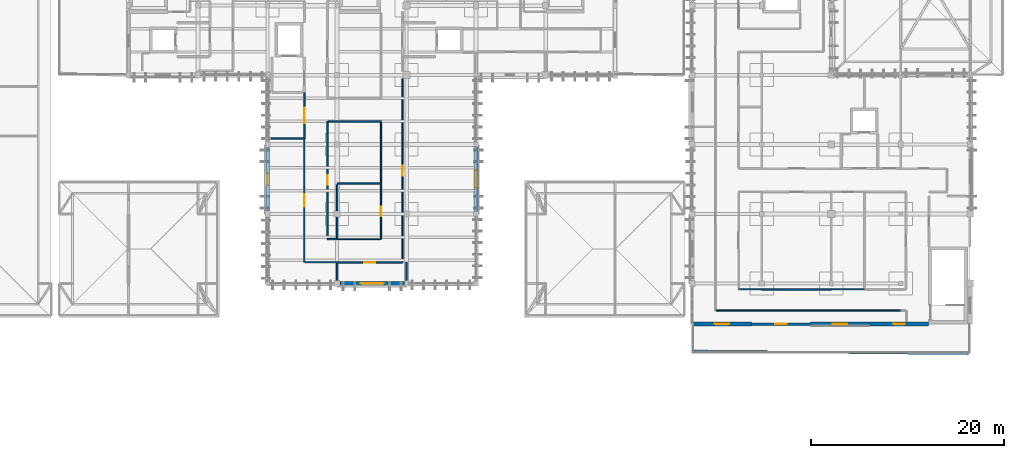
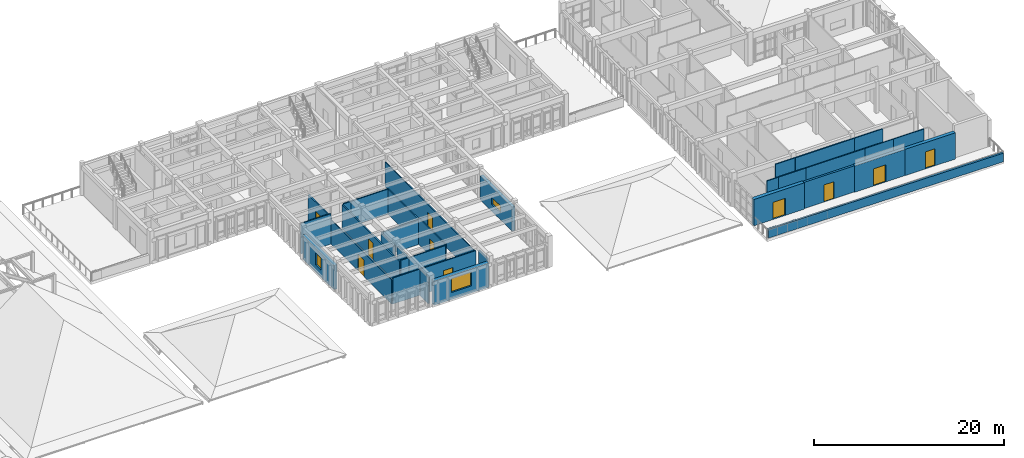
# One storey, part 33 of 51: 34 walls, 10 doors, 3 windows, 13 openings.
"""IFC4 building model written with IfcOpenShell, lengths in metres."""

from ifc_helpers import new_model, si_unit, direction, frame, frame_2d, origin, place, context, subcontext, project, spatial, rectangle, extrude, material, layer, layer_set, type_object, element, fill, save


model = new_model("IFC4")

# Units and contexts
model_context = context("Model", 3, precision=1e-05, world=origin(), true_north=direction((0.0, 1.0)))
body_context = subcontext(model_context, "Body", "Model", "MODEL_VIEW")
ifc_project = project(units=[si_unit("LENGTHUNIT", "METRE"), si_unit("AREAUNIT", "SQUARE_METRE"), si_unit("VOLUMEUNIT", "CUBIC_METRE"), si_unit("PLANEANGLEUNIT", "RADIAN"), si_unit("MASSUNIT", "GRAM", prefix="KILO")], contexts=[model_context])

# Site, building, storey
site_placement = place(None, origin())
site = spatial("IfcSite", under=ifc_project, at=site_placement, CompositionType="ELEMENT")
building_placement = place(site_placement, origin())
building = spatial("IfcBuilding", under=site, at=building_placement, Name="Steenspoor Specialist Clinic", CompositionType="ELEMENT")
storey_placement = place(building_placement, frame((0.0, 0.0, 17.39990234375)))
storey = spatial("IfcBuildingStorey", under=building, at=storey_placement, Name="L04", CompositionType="ELEMENT", Elevation=17.39990234375)

# Wall, opening, window
ifc_material_1 = material(Name="Extruded clay brick masonry", Category="masonry")
ifc_layer_1 = layer(ifc_material_1, 0.3798828125)
ifc_layer_set_1 = layer_set([ifc_layer_1], Name="Extruded clay brick masonry")
wall_type_1 = type_object("IfcWallType", Name="W-BRICK-380", PredefinedType="USERDEFINED", material=ifc_layer_set_1)
wall_1_placement = place(storey_placement, frame((95.60009765625, 86.52490234375, 0.0), z_axis=(0.0, 0.0, 1.0), x_axis=(0.0, -1.0, 0.0)))
wall_1 = element("IfcWall", 1, at=wall_1_placement, inside=storey, type_object=wall_type_1, Name="Exterior Brick Wall EW-V4-L04-0210", ObjectType="CAVITY VENEER", PredefinedType="USERDEFINED", context=body_context, shape_type="SweptSolid", body=[
    extrude(rectangle(XDim=6.724853515625, YDim=0.3798828125, at=frame_2d((3.3623046875, 0.0))), origin(), (0.0, 0.0, 1.0), 3.10009765625),
])
opening_1_placement = place(wall_1_placement, frame((2.46240234375, 0.0, 0.89990234375)))
opening_1 = element("IfcOpeningElement", 2, at=opening_1_placement, cuts=wall_1, Name="Opening WN-22", PredefinedType="OPENING", context=body_context, shape_type="SweptSolid", body=[
    extrude(rectangle(XDim=1.800048828125, YDim=0.89990234375, at=frame_2d((0.89990234375, 0.449951171875))), frame((0.0, 0.199951171875, 0.0), z_axis=(0.0, -1.0, 0.0), x_axis=(1.0, 0.0, 0.0)), (0.0, 0.0, 1.0), 0.39990234375),
])
ifc_material_2 = material(Name="Thermally broken aluminium and low-emissivity glass", Category="aluminium")
window_type_1 = type_object("IfcWindowType", Name="WN-EXT-180X090", PartitioningType="SINGLE_PANEL", PredefinedType="WINDOW", material=ifc_material_2)
window_1_placement = place(opening_1_placement, origin())
window_1 = element("IfcWindow", 3, at=window_1_placement, inside=storey, type_object=window_type_1, Name="Window 0234", OverallHeight=0.89990234375, OverallWidth=1.800048828125, PartitioningType="SINGLE_PANEL", PredefinedType="WINDOW", context=body_context, shape_type="SweptSolid", body=[
    extrude(rectangle(XDim=1.800048828125, YDim=0.89990234375, at=frame_2d((0.89990234375, 0.449951171875))), frame((0.0, 0.030029296875, 0.0), z_axis=(0.0, -1.0, 0.0), x_axis=(1.0, 0.0, 0.0)), (0.0, 0.0, 1.0), 0.06005859375),
])
fill(opening_1, window_1)

# Wall, opening, door
wall_2_placement = place(storey_placement, frame((136.375, 68.14990234375, 0.0), z_axis=(0.0, 0.0, 1.0), x_axis=(-1.0, 0.0, 0.0)))
wall_2 = element("IfcWall", 4, at=wall_2_placement, inside=storey, type_object=wall_type_1, Name="Exterior Brick Wall EW-V6-L04-0354", ObjectType="CAVITY VENEER", PredefinedType="USERDEFINED", context=body_context, shape_type="SweptSolid", body=[
    extrude(rectangle(XDim=6.125, YDim=0.3798828125, at=frame_2d((3.0625, 0.0))), origin(), (0.0, 0.0, 1.0), 3.380126953125),
])
opening_2_placement = place(wall_2_placement, frame((2.3125, 0.0, 0.0)))
opening_2 = element("IfcOpeningElement", 5, at=opening_2_placement, cuts=wall_2, Name="Opening ED44", PredefinedType="OPENING", context=body_context, shape_type="SweptSolid", body=[
    extrude(rectangle(XDim=1.5, YDim=2.199951171875, at=frame_2d((0.75, 1.10009765625))), frame((0.0, 0.199951171875, 0.0), z_axis=(0.0, -1.0, 0.0), x_axis=(1.0, 0.0, 0.0)), (0.0, 0.0, 1.0), 0.39990234375),
])
ifc_material_3 = material(Name="Anodised aluminium and safety glass", Category="aluminium")
door_type_1 = type_object("IfcDoorType", Name="DT-TERR-150X220", OperationType="NOTDEFINED", PredefinedType="DOOR", material=ifc_material_3)
door_1_placement = place(opening_2_placement, origin())
door_1 = element("IfcDoor", 6, at=door_1_placement, inside=storey, type_object=door_type_1, Name="Roof Terrace Door ED44", OperationType="SINGLE_SWING_LEFT", OverallHeight=2.199951171875, OverallWidth=1.5, PredefinedType="DOOR", context=body_context, shape_type="SweptSolid", body=[
    extrude(rectangle(XDim=1.5, YDim=2.199951171875, at=frame_2d((0.75, 1.10009765625))), frame((0.0, 0.02490234375, 0.0), z_axis=(0.0, -1.0, 0.0), x_axis=(1.0, 0.0, 0.0)), (0.0, 0.0, 1.0), 0.050048828125),
])
fill(opening_2, door_1)

# Wall, opening, window
ifc_layer_2 = layer(ifc_material_1, 0.409912109375)
ifc_layer_set_2 = layer_set([ifc_layer_2], Name="Extruded clay brick masonry")
wall_type_2 = type_object("IfcWallType", Name="W-BRICK-410", PredefinedType="USERDEFINED", material=ifc_layer_set_2)
wall_3_placement = place(storey_placement, frame((74.0, 79.89990234375, 0.0), z_axis=(0.0, 0.0, 1.0), x_axis=(0.0, 1.0, 0.0)))
wall_3 = element("IfcWall", 7, at=wall_3_placement, inside=storey, type_object=wall_type_2, Name="Exterior Brick Wall EW-V4-L04-0197", ObjectType="CAVITY VENEER", PredefinedType="USERDEFINED", context=body_context, shape_type="SweptSolid", body=[
    extrude(rectangle(XDim=6.525146484375, YDim=0.409912109375, at=frame_2d((3.2626953125, 0.0))), origin(), (0.0, 0.0, 1.0), 3.10009765625),
])
opening_3_placement = place(wall_3_placement, frame((2.66259765625, 0.0, 0.89990234375)))
opening_3 = element("IfcOpeningElement", 8, at=opening_3_placement, cuts=wall_3, Name="Opening WN-11", PredefinedType="OPENING", context=body_context, shape_type="SweptSolid", body=[
    extrude(rectangle(XDim=1.199951171875, YDim=1.5, at=frame_2d((0.60009765625, 0.75))), frame((0.0, 0.21484375, 0.0), z_axis=(0.0, -1.0, 0.0), x_axis=(1.0, 0.0, 0.0)), (0.0, 0.0, 1.0), 0.429931640625),
])
window_type_2 = type_object("IfcWindowType", Name="WN-EXT-120X150", PartitioningType="SINGLE_PANEL", PredefinedType="WINDOW", material=ifc_material_2)
window_2_placement = place(opening_3_placement, origin())
window_2 = element("IfcWindow", 9, at=window_2_placement, inside=storey, type_object=window_type_2, Name="Window 0223", OverallHeight=1.5, OverallWidth=1.199951171875, PartitioningType="SINGLE_PANEL", PredefinedType="WINDOW", context=body_context, shape_type="SweptSolid", body=[
    extrude(rectangle(XDim=1.199951171875, YDim=1.5, at=frame_2d((0.60009765625, 0.75))), frame((0.0, 0.030029296875, 0.0), z_axis=(0.0, -1.0, 0.0), x_axis=(1.0, 0.0, 0.0)), (0.0, 0.0, 1.0), 0.06005859375),
])
fill(opening_3, window_2)

# Wall, opening, door
wall_4_placement = place(storey_placement, frame((142.5, 68.14990234375, 0.0), z_axis=(0.0, 0.0, 1.0), x_axis=(-1.0, 0.0, 0.0)))
wall_4 = element("IfcWall", 10, at=wall_4_placement, inside=storey, type_object=wall_type_2, Name="Exterior Brick Wall EW-V6-L04-0353", ObjectType="CAVITY VENEER", PredefinedType="USERDEFINED", context=body_context, shape_type="SweptSolid", body=[
    extrude(rectangle(XDim=6.125, YDim=0.409912109375, at=frame_2d((3.0625, 0.0))), origin(), (0.0, 0.0, 1.0), 3.380126953125),
])
opening_4_placement = place(wall_4_placement, frame((2.46240234375, 0.0, 0.0)))
opening_4 = element("IfcOpeningElement", 11, at=opening_4_placement, cuts=wall_4, Name="Opening ED43", PredefinedType="OPENING", context=body_context, shape_type="SweptSolid", body=[
    extrude(rectangle(XDim=1.199951171875, YDim=2.199951171875, at=frame_2d((0.60009765625, 1.10009765625))), frame((0.0, 0.21484375, 0.0), z_axis=(0.0, -1.0, 0.0), x_axis=(1.0, 0.0, 0.0)), (0.0, 0.0, 1.0), 0.429931640625),
])
door_type_2 = type_object("IfcDoorType", Name="DT-TERR-120X220", OperationType="NOTDEFINED", PredefinedType="DOOR", material=ifc_material_3)
door_2_placement = place(opening_4_placement, origin())
door_2 = element("IfcDoor", 12, at=door_2_placement, inside=storey, type_object=door_type_2, Name="Roof Terrace Door ED43", OperationType="SINGLE_SWING_RIGHT", OverallHeight=2.199951171875, OverallWidth=1.199951171875, PredefinedType="DOOR", context=body_context, shape_type="SweptSolid", body=[
    extrude(rectangle(XDim=1.199951171875, YDim=2.199951171875, at=frame_2d((0.60009765625, 1.10009765625))), frame((0.0, 0.02490234375, 0.0), z_axis=(0.0, -1.0, 0.0), x_axis=(1.0, 0.0, 0.0)), (0.0, 0.0, 1.0), 0.050048828125),
])
fill(opening_4, door_2)

# Wall, opening, window
ifc_layer_3 = layer(ifc_material_1, 0.43994140625)
ifc_layer_set_3 = layer_set([ifc_layer_3], Name="Extruded clay brick masonry")
wall_type_3 = type_object("IfcWallType", Name="W-BRICK-440", PredefinedType="USERDEFINED", material=ifc_layer_set_3)
wall_5_placement = place(storey_placement, frame((88.175048828125, 72.35009765625, 0.0), z_axis=(0.0, 0.0, 1.0), x_axis=(-1.0, 0.0, 0.0)))
wall_5 = element("IfcWall", 13, at=wall_5_placement, inside=storey, type_object=wall_type_3, Name="Exterior Brick Wall EW-V4-L04-0196", ObjectType="CAVITY VENEER", PredefinedType="USERDEFINED", context=body_context, shape_type="SweptSolid", body=[
    extrude(rectangle(XDim=6.650146484375, YDim=0.43994140625, at=frame_2d((3.3251953125, 0.0))), origin(), (0.0, 0.0, 1.0), 3.10009765625),
])
opening_5_placement = place(wall_5_placement, frame((2.125, 0.0, 0.89990234375)))
opening_5 = element("IfcOpeningElement", 14, at=opening_5_placement, cuts=wall_5, Name="Opening WN-10", PredefinedType="OPENING", context=body_context, shape_type="SweptSolid", body=[
    extrude(rectangle(XDim=2.39990234375, YDim=1.800048828125, at=frame_2d((1.199951171875, 0.89990234375))), frame((0.0, 0.22998046875, 0.0), z_axis=(0.0, -1.0, 0.0), x_axis=(1.0, 0.0, 0.0)), (0.0, 0.0, 1.0), 0.4599609375),
])
window_type_3 = type_object("IfcWindowType", Name="WN-EXT-240X180", PartitioningType="SINGLE_PANEL", PredefinedType="WINDOW", material=ifc_material_2)
window_3_placement = place(opening_5_placement, origin())
window_3 = element("IfcWindow", 15, at=window_3_placement, inside=storey, type_object=window_type_3, Name="Window 0222", OverallHeight=1.800048828125, OverallWidth=2.39990234375, PartitioningType="SINGLE_PANEL", PredefinedType="WINDOW", context=body_context, shape_type="SweptSolid", body=[
    extrude(rectangle(XDim=2.39990234375, YDim=1.800048828125, at=frame_2d((1.199951171875, 0.89990234375))), frame((0.0, 0.030029296875, 0.0), z_axis=(0.0, -1.0, 0.0), x_axis=(1.0, 0.0, 0.0)), (0.0, 0.0, 1.0), 0.06005859375),
])
fill(opening_5, window_3)

# Wall, opening, door
wall_6_placement = place(storey_placement, frame((124.125, 68.14990234375, 0.0), z_axis=(0.0, 0.0, 1.0), x_axis=(-1.0, 0.0, 0.0)))
wall_6 = element("IfcWall", 16, at=wall_6_placement, inside=storey, type_object=wall_type_3, Name="Exterior Brick Wall EW-V6-L04-0356", ObjectType="CAVITY VENEER", PredefinedType="USERDEFINED", context=body_context, shape_type="SweptSolid", body=[
    extrude(rectangle(XDim=6.125, YDim=0.43994140625, at=frame_2d((3.0625, 0.0))), origin(), (0.0, 0.0, 1.0), 3.380126953125),
])
opening_6_placement = place(wall_6_placement, frame((2.3125, 0.0, 0.0)))
opening_6 = element("IfcOpeningElement", 17, at=opening_6_placement, cuts=wall_6, Name="Opening ED46", PredefinedType="OPENING", context=body_context, shape_type="SweptSolid", body=[
    extrude(rectangle(XDim=1.5, YDim=2.199951171875, at=frame_2d((0.75, 1.10009765625))), frame((0.0, 0.22998046875, 0.0), z_axis=(0.0, -1.0, 0.0), x_axis=(1.0, 0.0, 0.0)), (0.0, 0.0, 1.0), 0.4599609375),
])
door_3_placement = place(opening_6_placement, origin())
door_3 = element("IfcDoor", 18, at=door_3_placement, inside=storey, type_object=door_type_1, Name="Roof Terrace Door ED46", OperationType="SINGLE_SWING_LEFT", OverallHeight=2.199951171875, OverallWidth=1.5, PredefinedType="DOOR", context=body_context, shape_type="SweptSolid", body=[
    extrude(rectangle(XDim=1.5, YDim=2.199951171875, at=frame_2d((0.75, 1.10009765625))), frame((0.0, 0.02490234375, 0.0), z_axis=(0.0, -1.0, 0.0), x_axis=(1.0, 0.0, 0.0)), (0.0, 0.0, 1.0), 0.050048828125),
])
fill(opening_6, door_3)

ifc_material_4 = material(Name="Gypsum acoustic clinical partition", Category="gypsum")
ifc_layer_4 = layer(ifc_material_4, 0.14990234375)
ifc_layer_set_4 = layer_set([ifc_layer_4], Name="Gypsum acoustic clinical partition")
wall_type_4 = type_object("IfcWallType", Name="W-CLIN-150", PredefinedType="PARTITIONING", material=ifc_layer_set_4)
wall_7_placement = place(storey_placement, frame((81.199951171875, 74.550048828125, 0.0), z_axis=(0.0, 0.0, 1.0), x_axis=(1.0, 0.0, 0.0)))
wall_7 = element("IfcWall", 19, at=wall_7_placement, inside=storey, type_object=wall_type_4, Name="Interior Partition IW-V4-L04-1807", PredefinedType="PARTITIONING", context=body_context, shape_type="SweptSolid", body=[
    extrude(rectangle(XDim=6.77001953125, YDim=0.14990234375, at=frame_2d((3.385009765625, 0.0))), origin(), (0.0, 0.0, 1.0), 3.35498046875),
])
opening_7_placement = place(wall_7_placement, frame((2.809814453125, 0.0, 0.0)))
opening_7 = element("IfcOpeningElement", 20, at=opening_7_placement, cuts=wall_7, Name="Opening D0291", PredefinedType="OPENING", context=body_context, shape_type="SweptSolid", body=[
    extrude(rectangle(XDim=1.14990234375, YDim=2.14990234375, at=frame_2d((0.574951171875, 1.074951171875))), frame((0.0, 0.0849609375, 0.0), z_axis=(0.0, -1.0, 0.0), x_axis=(1.0, 0.0, 0.0)), (0.0, 0.0, 1.0), 0.169921875),
])
ifc_material_5 = material(Name="Solid-core hardwood clinical door", Category="wood")
door_type_3 = type_object("IfcDoorType", Name="DT-CONS-115X215", OperationType="NOTDEFINED", PredefinedType="DOOR", material=ifc_material_5)
door_4_placement = place(opening_7_placement, origin())
door_4 = element("IfcDoor", 21, at=door_4_placement, inside=storey, type_object=door_type_3, Name="Clinical Door D0291", OperationType="SINGLE_SWING_RIGHT", OverallHeight=2.14990234375, OverallWidth=1.14990234375, PredefinedType="DOOR", context=body_context, shape_type="SweptSolid", body=[
    extrude(rectangle(XDim=1.14990234375, YDim=2.14990234375, at=frame_2d((0.574951171875, 1.074951171875))), frame((0.0, 0.02490234375, 0.0), z_axis=(0.0, -1.0, 0.0), x_axis=(1.0, 0.0, 0.0)), (0.0, 0.0, 1.0), 0.050048828125),
])
fill(opening_7, door_4)

# Walls
wall_8_placement = place(storey_placement, frame((81.199951171875, 89.14990234375, 0.0), z_axis=(0.0, 0.0, 1.0), x_axis=(1.0, 0.0, 0.0)))
element("IfcWall", 22, at=wall_8_placement, inside=storey, type_object=wall_type_4, Name="Interior Partition IW-V4-L04-1808", PredefinedType="PARTITIONING", context=body_context, shape_type="SweptSolid", body=[
    extrude(rectangle(XDim=4.550048828125, YDim=0.14990234375, at=frame_2d((2.27490234375, 0.0))), origin(), (0.0, 0.0, 1.0), 3.205078125),
])
wall_9_placement = place(storey_placement, frame((85.75, 82.699951171875, 0.0), z_axis=(0.0, 0.0, 1.0), x_axis=(0.0, 1.0, 0.0)))
element("IfcWall", 23, at=wall_9_placement, inside=storey, type_object=wall_type_4, Name="Interior Partition IW-V4-L04-1809", PredefinedType="PARTITIONING", context=body_context, shape_type="SweptSolid", body=[
    extrude(rectangle(XDim=6.360107421875, YDim=0.14990234375, at=frame_2d((3.18017578125, 0.0))), origin(), (0.0, 0.0, 1.0), 3.205078125),
])
wall_10_placement = place(storey_placement, frame((80.199951171875, 76.949951171875, 0.0), z_axis=(0.0, 0.0, 1.0), x_axis=(1.0, 0.0, 0.0)))
element("IfcWall", 24, at=wall_10_placement, inside=storey, type_object=wall_type_4, Name="Interior Partition IW-V4-L04-1810", PredefinedType="PARTITIONING", context=body_context, shape_type="SweptSolid", body=[
    extrude(rectangle(XDim=1.0, YDim=0.14990234375, at=frame_2d((0.5, 0.0))), origin(), (0.0, 0.0, 1.0), 3.35498046875),
])

# Wall, opening, door
wall_11_placement = place(storey_placement, frame((80.199951171875, 77.0400390625, 0.0), z_axis=(0.0, 0.0, 1.0), x_axis=(0.0, 1.0, 0.0)))
wall_11 = element("IfcWall", 25, at=wall_11_placement, inside=storey, type_object=wall_type_4, Name="Interior Partition IW-V4-L04-1811", PredefinedType="PARTITIONING", context=body_context, shape_type="SweptSolid", body=[
    extrude(rectangle(XDim=12.10986328125, YDim=0.14990234375, at=frame_2d((6.054931640625, 0.0))), origin(), (0.0, 0.0, 1.0), 3.10498046875),
])
opening_8_placement = place(wall_11_placement, frame((5.554931640625, 0.0, 0.0)))
opening_8 = element("IfcOpeningElement", 26, at=opening_8_placement, cuts=wall_11, Name="Opening D0293", PredefinedType="OPENING", context=body_context, shape_type="SweptSolid", body=[
    extrude(rectangle(XDim=1.0, YDim=2.14990234375, at=frame_2d((0.5, 1.074951171875))), frame((0.0, 0.0849609375, 0.0), z_axis=(0.0, -1.0, 0.0), x_axis=(1.0, 0.0, 0.0)), (0.0, 0.0, 1.0), 0.169921875),
])
ifc_material_6 = material(Name="Moisture-resistant HPL accessible WC door", Category="wood")
door_type_4 = type_object("IfcDoorType", Name="DT-AWC-100X215", OperationType="NOTDEFINED", PredefinedType="DOOR", material=ifc_material_6)
door_5_placement = place(opening_8_placement, origin())
door_5 = element("IfcDoor", 27, at=door_5_placement, inside=storey, type_object=door_type_4, Name="Clinical Door D0293", OperationType="SINGLE_SWING_RIGHT", OverallHeight=2.14990234375, OverallWidth=1.0, PredefinedType="DOOR", context=body_context, shape_type="SweptSolid", body=[
    extrude(rectangle(XDim=1.0, YDim=2.14990234375, at=frame_2d((0.5, 1.074951171875))), frame((0.0, 0.02490234375, 0.0), z_axis=(0.0, -1.0, 0.0), x_axis=(1.0, 0.0, 0.0)), (0.0, 0.0, 1.0), 0.050048828125),
])
fill(opening_8, door_5)

# Wall
wall_12_placement = place(storey_placement, frame((80.2900390625, 89.14990234375, 0.0), z_axis=(0.0, 0.0, 1.0), x_axis=(1.0, 0.0, 0.0)))
element("IfcWall", 28, at=wall_12_placement, inside=storey, type_object=wall_type_4, Name="Interior Partition IW-V4-L04-1812", PredefinedType="PARTITIONING", context=body_context, shape_type="SweptSolid", body=[
    extrude(rectangle(XDim=0.89501953125, YDim=0.14990234375, at=frame_2d((0.447509765625, 0.0))), origin(), (0.0, 0.0, 1.0), 3.205078125),
])

# Wall, opening, door
wall_13_placement = place(storey_placement, frame((77.800048828125, 87.3701171875, 0.0), z_axis=(0.0, 0.0, 1.0), x_axis=(0.0, 1.0, 0.0)))
wall_13 = element("IfcWall", 29, at=wall_13_placement, inside=storey, type_object=wall_type_4, Name="Interior Partition IW-V4-L04-1813", PredefinedType="PARTITIONING", context=body_context, shape_type="SweptSolid", body=[
    extrude(rectangle(XDim=4.764892578125, YDim=0.14990234375, at=frame_2d((2.38232421875, 0.0))), origin(), (0.0, 0.0, 1.0), 3.445068359375),
])
opening_9_placement = place(wall_13_placement, frame((1.58251953125, 0.0, 0.0)))
opening_9 = element("IfcOpeningElement", 30, at=opening_9_placement, cuts=wall_13, Name="Opening D0295", PredefinedType="OPENING", context=body_context, shape_type="SweptSolid", body=[
    extrude(rectangle(XDim=1.60009765625, YDim=2.25, at=frame_2d((0.800048828125, 1.125))), frame((0.0, 0.0849609375, 0.0), z_axis=(0.0, -1.0, 0.0), x_axis=(1.0, 0.0, 0.0)), (0.0, 0.0, 1.0), 0.169921875),
])
ifc_material_7 = material(Name="Hygienic HPL clinical timber door", Category="wood")
door_type_5 = type_object("IfcDoorType", Name="DT-PROC-160X225", OperationType="NOTDEFINED", PredefinedType="DOOR", material=ifc_material_7)
door_6_placement = place(opening_9_placement, origin())
door_6 = element("IfcDoor", 31, at=door_6_placement, inside=storey, type_object=door_type_5, Name="Clinical Door D0295", OperationType="SINGLE_SWING_RIGHT", OverallHeight=2.25, OverallWidth=1.60009765625, PredefinedType="DOOR", context=body_context, shape_type="SweptSolid", body=[
    extrude(rectangle(XDim=1.60009765625, YDim=2.25, at=frame_2d((0.800048828125, 1.125))), frame((0.0, 0.02490234375, 0.0), z_axis=(0.0, -1.0, 0.0), x_axis=(1.0, 0.0, 0.0)), (0.0, 0.0, 1.0), 0.050048828125),
])
fill(opening_9, door_6)

# Walls
wall_14_placement = place(storey_placement, frame((125.199951171875, 71.75, 0.0), z_axis=(0.0, 0.0, 1.0), x_axis=(1.0, 0.0, 0.0)))
element("IfcWall", 32, at=wall_14_placement, inside=storey, type_object=wall_type_4, Name="Interior Partition IW-V6-L04-1827", PredefinedType="PARTITIONING", context=body_context, shape_type="SweptSolid", body=[
    extrude(rectangle(XDim=7.199951171875, YDim=0.14990234375, at=frame_2d((3.60009765625, 0.0))), origin(), (0.0, 0.0, 1.0), 3.9501953125),
])
wall_15_placement = place(storey_placement, frame((81.199951171875, 72.68994140625, 0.0), z_axis=(0.0, 0.0, 1.0), x_axis=(0.0, 1.0, 0.0)))
element("IfcWall", 33, at=wall_15_placement, inside=storey, type_object=wall_type_4, Name="Interior Partition IW-V4-L04-1900", PredefinedType="PARTITIONING", context=body_context, shape_type="SweptSolid", body=[
    extrude(rectangle(XDim=1.77001953125, YDim=0.14990234375, at=frame_2d((0.885009765625, 0.0))), origin(), (0.0, 0.0, 1.0), 3.35498046875),
])
wall_16_placement = place(storey_placement, frame((74.10498046875, 87.3701171875, 0.0), z_axis=(0.0, 0.0, 1.0), x_axis=(1.0, 0.0, 0.0)))
element("IfcWall", 34, at=wall_16_placement, inside=storey, type_object=wall_type_4, Name="Interior Partition IW-V4-L04-1901", PredefinedType="PARTITIONING", context=body_context, shape_type="SweptSolid", body=[
    extrude(rectangle(XDim=3.60498046875, YDim=0.14990234375, at=frame_2d((1.802490234375, 0.0))), origin(), (0.0, 0.0, 1.0), 3.920166015625),
])
wall_17_placement = place(storey_placement, frame((88.39990234375, 72.68994140625, 0.0), z_axis=(0.0, 0.0, 1.0), x_axis=(0.0, 1.0, 0.0)))
element("IfcWall", 35, at=wall_17_placement, inside=storey, type_object=wall_type_4, Name="Interior Partition IW-V4-L04-1902", PredefinedType="PARTITIONING", context=body_context, shape_type="SweptSolid", body=[
    extrude(rectangle(XDim=1.860107421875, YDim=0.14990234375, at=frame_2d((0.93017578125, 0.0))), origin(), (0.0, 0.0, 1.0), 3.255126953125),
])
wall_18_placement = place(storey_placement, frame((81.199951171875, 82.699951171875, 0.0), z_axis=(0.0, 0.0, 1.0), x_axis=(1.0, 0.0, 0.0)))
element("IfcWall", 36, at=wall_18_placement, inside=storey, type_object=wall_type_4, Name="Interior Partition IW-V4-L04-1904", PredefinedType="PARTITIONING", context=body_context, shape_type="SweptSolid", body=[
    extrude(rectangle(XDim=4.4599609375, YDim=0.14990234375, at=frame_2d((2.22998046875, 0.0))), origin(), (0.0, 0.0, 1.0), 3.10498046875),
])
wall_19_placement = place(storey_placement, frame((81.199951171875, 77.0400390625, 0.0), z_axis=(0.0, 0.0, 1.0), x_axis=(0.0, 1.0, 0.0)))
element("IfcWall", 37, at=wall_19_placement, inside=storey, type_object=wall_type_4, Name="Interior Partition IW-V4-L04-1905", PredefinedType="PARTITIONING", context=body_context, shape_type="SweptSolid", body=[
    extrude(rectangle(XDim=2.195068359375, YDim=0.14990234375, at=frame_2d((1.09765625, 0.0))), origin(), (0.0, 0.0, 1.0), 3.35498046875),
])
wall_20_placement = place(storey_placement, frame((81.199951171875, 79.864990234375, 0.0), z_axis=(0.0, 0.0, 1.0), x_axis=(0.0, 1.0, 0.0)))
element("IfcWall", 38, at=wall_20_placement, inside=storey, type_object=wall_type_4, Name="Interior Partition IW-V4-L04-1906", PredefinedType="PARTITIONING", context=body_context, shape_type="SweptSolid", body=[
    extrude(rectangle(XDim=2.7451171875, YDim=0.14990234375, at=frame_2d((1.37255859375, 0.0))), origin(), (0.0, 0.0, 1.0), 3.10498046875),
])
ifc_layer_5 = layer(ifc_material_1, 0.239990234375)
ifc_layer_set_5 = layer_set([ifc_layer_5], Name="Extruded clay brick masonry")
wall_type_5 = type_object("IfcWallType", Name="W-PARAPET-240", PredefinedType="PARAPET", material=ifc_layer_set_5)
wall_21_placement = place(storey_placement, frame((118.179931640625, 65.330078125, 0.0), z_axis=(0.0, 0.0, 1.0), x_axis=(0.999964398434, -0.008438119714, 0.0)))
element("IfcWall", 39, at=wall_21_placement, inside=storey, type_object=wall_type_5, Name="Terrace Brick Parapet V6 L04 1", PredefinedType="PARAPET", context=body_context, shape_type="SweptSolid", body=[
    extrude(rectangle(XDim=28.441162109375, YDim=0.239990234375, at=frame_2d((14.220703125, 0.0))), origin(), (0.0, 0.0, 1.0), 1.1201171875),
])

# Wall, opening, door
ifc_material_8 = material(Name="Gypsum studio partition board", Category="gypsum")
ifc_layer_6 = layer(ifc_material_8, 0.1201171875)
ifc_layer_set_6 = layer_set([ifc_layer_6], Name="Gypsum studio partition board")
wall_type_6 = type_object("IfcWallType", Name="W-PART-120", PredefinedType="PARTITIONING", material=ifc_layer_set_6)
wall_22_placement = place(storey_placement, frame((77.800048828125, 74.550048828125, 0.0), z_axis=(0.0, 0.0, 1.0), x_axis=(0.0, 1.0, 0.0)))
wall_22 = element("IfcWall", 40, at=wall_22_placement, inside=storey, type_object=wall_type_6, Name="Interior Partition IW-V4-L04-1838", PredefinedType="PARTITIONING", context=body_context, shape_type="SweptSolid", body=[
    extrude(rectangle(XDim=12.804931640625, YDim=0.1201171875, at=frame_2d((6.40234375, 0.0))), origin(), (0.0, 0.0, 1.0), 3.10498046875),
])
opening_10_placement = place(wall_22_placement, frame((5.777587890625, 0.0, 0.0)))
opening_10 = element("IfcOpeningElement", 41, at=opening_10_placement, cuts=wall_22, Name="Opening D0290", PredefinedType="OPENING", context=body_context, shape_type="SweptSolid", body=[
    extrude(rectangle(XDim=1.25, YDim=2.14990234375, at=frame_2d((0.625, 1.074951171875))), frame((0.0, 0.070068359375, 0.0), z_axis=(0.0, -1.0, 0.0), x_axis=(1.0, 0.0, 0.0)), (0.0, 0.0, 1.0), 0.14013671875),
])
door_type_6 = type_object("IfcDoorType", Name="DT-EXAM-125X215", OperationType="NOTDEFINED", PredefinedType="DOOR", material=ifc_material_7)
door_7_placement = place(opening_10_placement, origin())
door_7 = element("IfcDoor", 42, at=door_7_placement, inside=storey, type_object=door_type_6, Name="Clinical Door D0290", OperationType="SINGLE_SWING_LEFT", OverallHeight=2.14990234375, OverallWidth=1.25, PredefinedType="DOOR", context=body_context, shape_type="SweptSolid", body=[
    extrude(rectangle(XDim=1.25, YDim=2.14990234375, at=frame_2d((0.625, 1.074951171875))), frame((0.0, 0.02490234375, 0.0), z_axis=(0.0, -1.0, 0.0), x_axis=(1.0, 0.0, 0.0)), (0.0, 0.0, 1.0), 0.050048828125),
])
fill(opening_10, door_7)

# Wall
wall_23_placement = place(storey_placement, frame((77.875, 74.550048828125, 0.0), z_axis=(0.0, 0.0, 1.0), x_axis=(1.0, 0.0, 0.0)))
element("IfcWall", 43, at=wall_23_placement, inside=storey, type_object=wall_type_6, Name="Interior Partition IW-V4-L04-1839", PredefinedType="PARTITIONING", context=body_context, shape_type="SweptSolid", body=[
    extrude(rectangle(XDim=3.31005859375, YDim=0.1201171875, at=frame_2d((1.655029296875, 0.0))), origin(), (0.0, 0.0, 1.0), 3.35498046875),
])

# Wall, opening, door
wall_24_placement = place(storey_placement, frame((87.969970703125, 74.550048828125, 0.0), z_axis=(0.0, 0.0, 1.0), x_axis=(0.000166955626, 0.999999986063, 0.0)))
wall_24 = element("IfcWall", 44, at=wall_24_placement, inside=storey, type_object=wall_type_6, Name="Interior Partition IW-V4-L04-1840", PredefinedType="PARTITIONING", context=body_context, shape_type="SweptSolid", body=[
    extrude(rectangle(XDim=19.010009765625, YDim=0.1201171875, at=frame_2d((9.5048828125, 0.0))), origin(), (0.0, 0.0, 1.0), 3.205078125),
])
opening_11_placement = place(wall_24_placement, frame((8.97998046875, 0.0, 0.0)))
opening_11 = element("IfcOpeningElement", 45, at=opening_11_placement, cuts=wall_24, Name="Opening D0292", PredefinedType="OPENING", context=body_context, shape_type="SweptSolid", body=[
    extrude(rectangle(XDim=1.050048828125, YDim=2.14990234375, at=frame_2d((0.52490234375, 1.074951171875))), frame((0.0, 0.070068359375, 0.0), z_axis=(0.0, -1.0, 0.0), x_axis=(1.0, 0.0, 0.0)), (0.0, 0.0, 1.0), 0.14013671875),
])
ifc_material_9 = material(Name="Solid-core hardwood office door", Category="wood")
door_type_7 = type_object("IfcDoorType", Name="DT-OFF-105X215", OperationType="NOTDEFINED", PredefinedType="DOOR", material=ifc_material_9)
door_8_placement = place(opening_11_placement, origin())
door_8 = element("IfcDoor", 46, at=door_8_placement, inside=storey, type_object=door_type_7, Name="Clinical Door D0292", OperationType="SINGLE_SWING_LEFT", OverallHeight=2.14990234375, OverallWidth=1.050048828125, PredefinedType="DOOR", context=body_context, shape_type="SweptSolid", body=[
    extrude(rectangle(XDim=1.050048828125, YDim=2.14990234375, at=frame_2d((0.52490234375, 1.074951171875))), frame((0.0, 0.02490234375, 0.0), z_axis=(0.0, -1.0, 0.0), x_axis=(1.0, 0.0, 0.0)), (0.0, 0.0, 1.0), 0.050048828125),
])
fill(opening_11, door_8)

wall_25_placement = place(storey_placement, frame((85.75, 76.949951171875, 0.0), z_axis=(0.0, 0.0, 1.0), x_axis=(0.0, 1.0, 0.0)))
wall_25 = element("IfcWall", 47, at=wall_25_placement, inside=storey, type_object=wall_type_6, Name="Interior Partition IW-V4-L04-1850", PredefinedType="PARTITIONING", context=body_context, shape_type="SweptSolid", body=[
    extrude(rectangle(XDim=5.735107421875, YDim=0.1201171875, at=frame_2d((2.86767578125, 0.0))), origin(), (0.0, 0.0, 1.0), 3.425048828125),
])
opening_12_placement = place(wall_25_placement, frame((2.392578125, 0.0, 0.0)))
opening_12 = element("IfcOpeningElement", 48, at=opening_12_placement, cuts=wall_25, Name="Opening D0294", PredefinedType="OPENING", context=body_context, shape_type="SweptSolid", body=[
    extrude(rectangle(XDim=0.949951171875, YDim=2.10009765625, at=frame_2d((0.47509765625, 1.050048828125))), frame((0.0, 0.070068359375, 0.0), z_axis=(0.0, -1.0, 0.0), x_axis=(1.0, 0.0, 0.0)), (0.0, 0.0, 1.0), 0.14013671875),
])
ifc_material_10 = material(Name="Moisture-resistant HPL sanitary door", Category="wood")
door_type_8 = type_object("IfcDoorType", Name="DT-WC-095X210", OperationType="NOTDEFINED", PredefinedType="DOOR", material=ifc_material_10)
door_9_placement = place(opening_12_placement, origin())
door_9 = element("IfcDoor", 49, at=door_9_placement, inside=storey, type_object=door_type_8, Name="Clinical Door D0294", OperationType="SINGLE_SWING_LEFT", OverallHeight=2.10009765625, OverallWidth=0.949951171875, PredefinedType="DOOR", context=body_context, shape_type="SweptSolid", body=[
    extrude(rectangle(XDim=0.949951171875, YDim=2.10009765625, at=frame_2d((0.47509765625, 1.050048828125))), frame((0.0, 0.02490234375, 0.0), z_axis=(0.0, -1.0, 0.0), x_axis=(1.0, 0.0, 0.0)), (0.0, 0.0, 1.0), 0.050048828125),
])
fill(opening_12, door_9)

# Walls
wall_26_placement = place(storey_placement, frame((81.215087890625, 76.949951171875, 0.0), z_axis=(0.0, 0.0, 1.0), x_axis=(1.0, 0.0, 0.0)))
element("IfcWall", 50, at=wall_26_placement, inside=storey, type_object=wall_type_6, Name="Interior Partition IW-V4-L04-1851", PredefinedType="PARTITIONING", context=body_context, shape_type="SweptSolid", body=[
    extrude(rectangle(XDim=4.4599609375, YDim=0.1201171875, at=frame_2d((2.22998046875, 0.0))), origin(), (0.0, 0.0, 1.0), 3.35498046875),
])
wall_27_placement = place(storey_placement, frame((120.47509765625, 69.550048828125, 0.0), z_axis=(0.0, 0.0, 1.0), x_axis=(1.0, 0.0, 0.0)))
element("IfcWall", 51, at=wall_27_placement, inside=storey, type_object=wall_type_6, Name="Interior Partition IW-V6-L04-1875", PredefinedType="PARTITIONING", context=body_context, shape_type="SweptSolid", body=[
    extrude(rectangle(XDim=1.375, YDim=0.1201171875, at=frame_2d((0.6875, 0.0))), origin(), (0.0, 0.0, 1.0), 3.9501953125),
])
wall_28_placement = place(storey_placement, frame((121.864990234375, 69.550048828125, 0.0), z_axis=(0.0, 0.0, 1.0), x_axis=(1.0, 0.0, 0.0)))
element("IfcWall", 52, at=wall_28_placement, inside=storey, type_object=wall_type_6, Name="Interior Partition IW-V6-L04-1876", PredefinedType="PARTITIONING", context=body_context, shape_type="SweptSolid", body=[
    extrude(rectangle(XDim=3.3349609375, YDim=0.1201171875, at=frame_2d((1.66748046875, 0.0))), origin(), (0.0, 0.0, 1.0), 3.9501953125),
])
wall_29_placement = place(storey_placement, frame((125.215087890625, 69.550048828125, 0.0), z_axis=(0.0, 0.0, 1.0), x_axis=(1.0, 0.0, 0.0)))
element("IfcWall", 53, at=wall_29_placement, inside=storey, type_object=wall_type_6, Name="Interior Partition IW-V6-L04-1877", PredefinedType="PARTITIONING", context=body_context, shape_type="SweptSolid", body=[
    extrude(rectangle(XDim=7.184814453125, YDim=0.1201171875, at=frame_2d((3.59228515625, 0.0))), origin(), (0.0, 0.0, 1.0), 3.9501953125),
])
wall_30_placement = place(storey_placement, frame((132.4150390625, 69.550048828125, 0.0), z_axis=(0.0, 0.0, 1.0), x_axis=(1.0, 0.0, 0.0)))
element("IfcWall", 54, at=wall_30_placement, inside=storey, type_object=wall_type_6, Name="Interior Partition IW-V6-L04-1878", PredefinedType="PARTITIONING", context=body_context, shape_type="SweptSolid", body=[
    extrude(rectangle(XDim=3.43505859375, YDim=0.1201171875, at=frame_2d((1.717529296875, 0.0))), origin(), (0.0, 0.0, 1.0), 3.9501953125),
])
wall_31_placement = place(storey_placement, frame((135.864990234375, 69.550048828125, 0.0), z_axis=(0.0, 0.0, 1.0), x_axis=(1.0, 0.0, 0.0)))
element("IfcWall", 55, at=wall_31_placement, inside=storey, type_object=wall_type_6, Name="Interior Partition IW-V6-L04-1879", PredefinedType="PARTITIONING", context=body_context, shape_type="SweptSolid", body=[
    extrude(rectangle(XDim=3.735107421875, YDim=0.1201171875, at=frame_2d((1.86767578125, 0.0))), origin(), (0.0, 0.0, 1.0), 3.9501953125),
])
wall_32_placement = place(storey_placement, frame((122.800048828125, 71.75, 0.0), z_axis=(0.0, 0.0, 1.0), x_axis=(1.0, 0.0, 0.0)))
element("IfcWall", 56, at=wall_32_placement, inside=storey, type_object=wall_type_6, Name="Interior Partition IW-V6-L04-1882", PredefinedType="PARTITIONING", context=body_context, shape_type="SweptSolid", body=[
    extrude(rectangle(XDim=2.385009765625, YDim=0.1201171875, at=frame_2d((1.1923828125, 0.0))), origin(), (0.0, 0.0, 1.0), 3.9501953125),
])
wall_33_placement = place(storey_placement, frame((132.4150390625, 71.75, 0.0), z_axis=(0.0, 0.0, 1.0), x_axis=(1.0, 0.0, 0.0)))
element("IfcWall", 57, at=wall_33_placement, inside=storey, type_object=wall_type_6, Name="Interior Partition IW-V6-L04-1885", PredefinedType="PARTITIONING", context=body_context, shape_type="SweptSolid", body=[
    extrude(rectangle(XDim=3.419921875, YDim=0.1201171875, at=frame_2d((1.7099609375, 0.0))), origin(), (0.0, 0.0, 1.0), 3.9501953125),
])

# Wall, opening, door
ifc_layer_7 = layer(ifc_material_1, 0.260009765625)
ifc_layer_set_7 = layer_set([ifc_layer_7], Name="Extruded clay brick masonry")
wall_type_7 = type_object("IfcWallType", Name="W-SCREEN-260", PredefinedType="SOLIDWALL", material=ifc_layer_set_7)
wall_34_placement = place(storey_placement, frame((130.25, 68.14990234375, 0.0), z_axis=(0.0, 0.0, 1.0), x_axis=(-1.0, 0.0, 0.0)))
wall_34 = element("IfcWall", 58, at=wall_34_placement, inside=storey, type_object=wall_type_7, Name="Exterior Brick Wall EW-V6-L04-0355", PredefinedType="SOLIDWALL", context=body_context, shape_type="SweptSolid", body=[
    extrude(rectangle(XDim=6.125, YDim=0.260009765625, at=frame_2d((3.0625, 0.0))), origin(), (0.0, 0.0, 1.0), 3.380126953125),
])
opening_13_placement = place(wall_34_placement, frame((2.46240234375, 0.0, 0.0)))
opening_13 = element("IfcOpeningElement", 59, at=opening_13_placement, cuts=wall_34, Name="Opening ED45", PredefinedType="OPENING", context=body_context, shape_type="SweptSolid", body=[
    extrude(rectangle(XDim=1.199951171875, YDim=2.199951171875, at=frame_2d((0.60009765625, 1.10009765625))), frame((0.0, 0.14013671875, 0.0), z_axis=(0.0, -1.0, 0.0), x_axis=(1.0, 0.0, 0.0)), (0.0, 0.0, 1.0), 0.280029296875),
])
door_10_placement = place(opening_13_placement, origin())
door_10 = element("IfcDoor", 60, at=door_10_placement, inside=storey, type_object=door_type_2, Name="Roof Terrace Door ED45", OperationType="SINGLE_SWING_RIGHT", OverallHeight=2.199951171875, OverallWidth=1.199951171875, PredefinedType="DOOR", context=body_context, shape_type="SweptSolid", body=[
    extrude(rectangle(XDim=1.199951171875, YDim=2.199951171875, at=frame_2d((0.60009765625, 1.10009765625))), frame((0.0, 0.02490234375, 0.0), z_axis=(0.0, -1.0, 0.0), x_axis=(1.0, 0.0, 0.0)), (0.0, 0.0, 1.0), 0.050048828125),
])
fill(opening_13, door_10)

save(model, "model.ifc")
